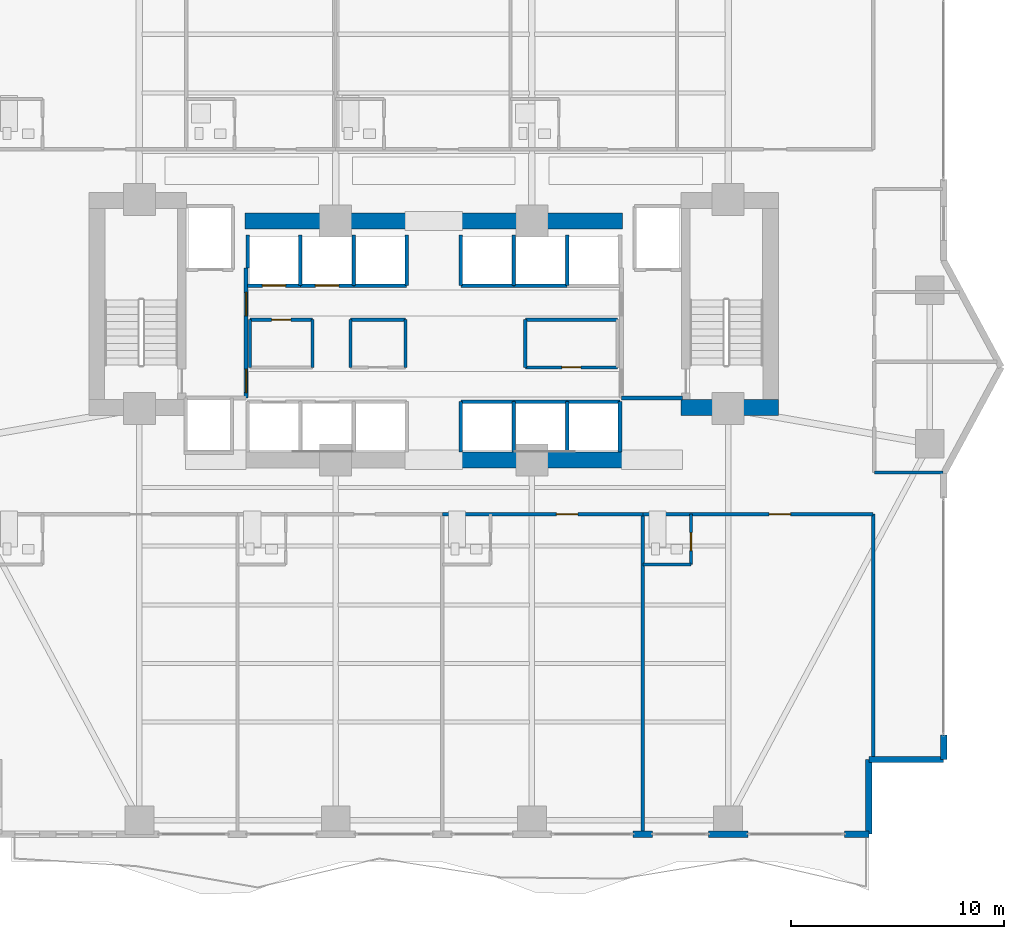
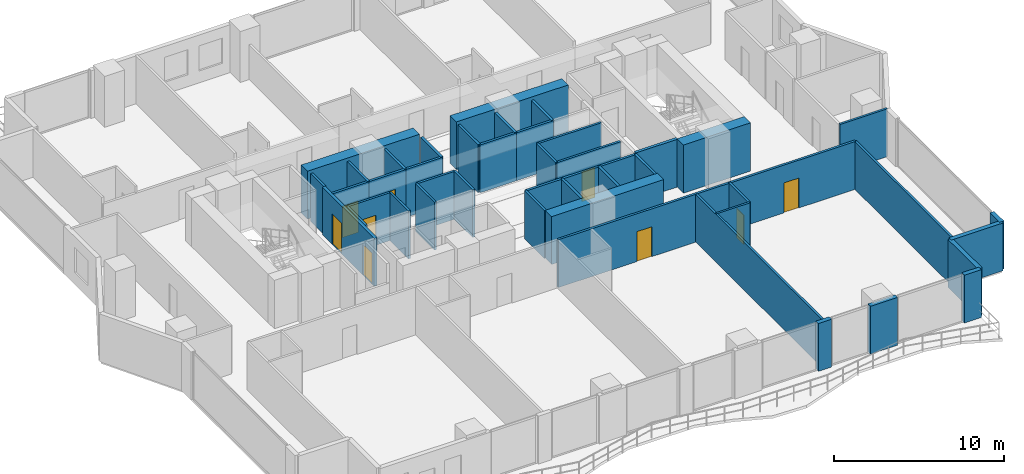
# One storey, part 21 of 27: 47 walls, 9 doors, 9 openings.
"""IFC4 building model written with IfcOpenShell, lengths in metres."""

from ifc_helpers import new_model, si_unit, direction, frame, frame_2d, origin, place, context, subcontext, project, spatial, rectangle, extrude, material, layer, layer_set, type_object, element, fill, save


model = new_model("IFC4")

# Units and contexts
model_context = context("Model", 3, precision=1e-05, world=origin(), true_north=direction((0.0, 1.0)))
body_context = subcontext(model_context, "Body", "Model", "MODEL_VIEW")
ifc_project = project(units=[si_unit("LENGTHUNIT", "METRE"), si_unit("AREAUNIT", "SQUARE_METRE"), si_unit("VOLUMEUNIT", "CUBIC_METRE"), si_unit("PLANEANGLEUNIT", "RADIAN"), si_unit("MASSUNIT", "GRAM", prefix="KILO")], contexts=[model_context])

# Site, building, storey
site_placement = place(None, origin())
site = spatial("IfcSite", under=ifc_project, at=site_placement, CompositionType="ELEMENT")
building_placement = place(site_placement, origin())
building = spatial("IfcBuilding", under=site, at=building_placement, Name="Zuhayl Quay Hotel", CompositionType="ELEMENT")
storey_placement = place(building_placement, frame((0.0, 0.0, 117.550048828125)))
storey = spatial("IfcBuildingStorey", under=building, at=storey_placement, Name="L29", CompositionType="ELEMENT", Elevation=117.550048828125)

# Walls
ifc_material_1 = material(Name="Concrete C60/75", Category="concrete")
ifc_layer_1 = layer(ifc_material_1, 0.75, Name="Concrete C60/75", Category="concrete")
ifc_layer_set_1 = layer_set([ifc_layer_1], Name="Concrete C60/75")
wall_type_1 = type_object("IfcWallType", Name="WL_CORE_750", PredefinedType="SHEAR", material=ifc_layer_set_1)
wall_1_placement = place(storey_placement, frame((11.60009765625, 4.594970703125, 0.0), z_axis=(0.0, 0.0, 1.0), x_axis=(1.0, 0.0, 0.0)))
element("IfcWall", 1, at=wall_1_placement, inside=storey, type_object=wall_type_1, Name="L29 Core Shear Wall CW_SE", PredefinedType="SHEAR", context=body_context, shape_type="SweptSolid", body=[
    extrude(rectangle(XDim=4.559814453125, YDim=0.75, at=frame_2d((2.27978515625, 0.0))), origin(), (0.0, 0.0, 1.0), 3.4599609375),
])
for number, where, z_axis, x_axis, name in (
    (2, (1.25, 2.14990234375, 0.0), (0.0, 0.0, 1.0), (1.0, 0.0, 0.0), "L29 Core Shear Wall CW_SC_E"),
    (3, (-8.85009765625, 13.35009765625, 0.0), (0.0, 0.0, 1.0), (1.0, 0.0, 0.0), "L29 Core Shear Wall CW_NC_W"),
    (4, (1.25, 13.35009765625, 0.0), (0.0, 0.0, 1.0), (1.0, 0.0, 0.0), "L29 Core Shear Wall CW_NC_E"),
):
    element("IfcWall", number, at=place(storey_placement, frame(where, z_axis=z_axis, x_axis=x_axis)), inside=storey, type_object=wall_type_1, Name=name, PredefinedType="SHEAR", context=body_context, shape_type="SweptSolid", body=[
        extrude(rectangle(XDim=7.60009765625, YDim=0.75, at=frame_2d((3.800048828125, 0.0))), origin(), (0.0, 0.0, 1.0), 3.429931640625),
    ])
ifc_material_2 = material(Name="Precast concrete C45/55", Category="concrete")
ifc_layer_2 = layer(ifc_material_2, 0.300048828125, Name="Precast concrete C45/55", Category="concrete")
ifc_layer_set_2 = layer_set([ifc_layer_2], Name="Precast concrete C45/55")
wall_type_2 = type_object("IfcWallType", Name="WL_EXT_300", PredefinedType="STANDARD", material=ifc_layer_set_2)
wall_2_placement = place(storey_placement, frame((23.89990234375, -10.75, 0.0), z_axis=(0.0, 0.0, 1.0), x_axis=(0.0, -1.0, 0.0)))
element("IfcWall", 5, at=wall_2_placement, inside=storey, type_object=wall_type_2, Name="L29 Exterior Precast Wall ENV_L29_E14_EW2", PredefinedType="STANDARD", context=body_context, shape_type="SweptSolid", body=[
    extrude(rectangle(XDim=1.14990234375, YDim=0.300048828125, at=frame_2d((0.574951171875, 0.0))), origin(), (0.0, 0.0, 1.0), 3.429931640625),
])
for number, where, z_axis, x_axis, name in (
    (6, (23.89990234375, -11.89990234375, 0.0), (0.0, 0.0, 1.0), (-1.0, 0.0, 0.0), "L29 Exterior Precast Wall ENV_L29_EW15"),
    (7, (20.39990234375, -11.89990234375, 0.0), (0.0, 0.0, 1.0), (0.0, -1.0, 0.0), "L29 Exterior Precast Wall ENV_L29_EW16"),
):
    element("IfcWall", number, at=place(storey_placement, frame(where, z_axis=z_axis, x_axis=x_axis)), inside=storey, type_object=wall_type_2, Name=name, PredefinedType="STANDARD", context=body_context, shape_type="SweptSolid", body=[
        extrude(rectangle(XDim=3.5, YDim=0.300048828125, at=frame_2d((1.75, 0.0))), origin(), (0.0, 0.0, 1.0), 3.429931640625),
    ])
wall_3_placement = place(storey_placement, frame((20.39990234375, -15.39990234375, 0.0), z_axis=(0.0, 0.0, 1.0), x_axis=(-1.0, 0.0, 0.0)))
element("IfcWall", 8, at=wall_3_placement, inside=storey, type_object=wall_type_2, Name="L29 Exterior Precast Wall ENV_L29_S_EW1", PredefinedType="STANDARD", context=body_context, shape_type="SweptSolid", body=[
    extrude(rectangle(XDim=1.14990234375, YDim=0.300048828125, at=frame_2d((0.574951171875, 0.0))), origin(), (0.0, 0.0, 1.0), 3.429931640625),
])
wall_4_placement = place(storey_placement, frame((14.719970703125, -15.39990234375, 0.0), z_axis=(0.0, 0.0, 1.0), x_axis=(-1.0, 0.0, 0.0)))
element("IfcWall", 9, at=wall_4_placement, inside=storey, type_object=wall_type_2, Name="L29 Exterior Precast Wall ENV_L29_S_EW2", PredefinedType="STANDARD", context=body_context, shape_type="SweptSolid", body=[
    extrude(rectangle(XDim=1.840087890625, YDim=0.300048828125, at=frame_2d((0.919921875, 0.0))), origin(), (0.0, 0.0, 1.0), 3.429931640625),
])
wall_5_placement = place(storey_placement, frame((10.25, -15.39990234375, 0.0), z_axis=(0.0, 0.0, 1.0), x_axis=(-1.0, 0.0, 0.0)))
element("IfcWall", 10, at=wall_5_placement, inside=storey, type_object=wall_type_2, Name="L29 Exterior Precast Wall ENV_L29_S_EW3", PredefinedType="STANDARD", context=body_context, shape_type="SweptSolid", body=[
    extrude(rectangle(XDim=0.89990234375, YDim=0.300048828125, at=frame_2d((0.449951171875, 0.0))), origin(), (0.0, 0.0, 1.0), 3.429931640625),
])

# Wall, opening, door
ifc_material_3 = material(Name="Acoustic Gypsum Partition STC-58")
ifc_layer_3 = layer(ifc_material_3, 0.14990234375, Name="Acoustic Gypsum Partition STC-58")
ifc_layer_set_3 = layer_set([ifc_layer_3], Name="Acoustic Gypsum Partition STC-58")
wall_type_3 = type_object("IfcWallType", Name="WL_PART_150", PredefinedType="PARTITIONING", material=ifc_layer_set_3)
wall_6_placement = place(storey_placement, frame((-8.610107421875, 8.719970703125, 0.0), z_axis=(0.0, 0.0, 1.0), x_axis=(1.0, 0.0, 0.0)))
wall_6 = element("IfcWall", 11, at=wall_6_placement, inside=storey, type_object=wall_type_3, Name="L29 Partition IW_L29_CORE_HK_N", PredefinedType="PARTITIONING", context=body_context, shape_type="SweptSolid", body=[
    extrude(rectangle(XDim=2.920166015625, YDim=0.14990234375, at=frame_2d((1.4599609375, 0.0))), origin(), (0.0, 0.0, 1.0), 3.429931640625),
])
opening_1_placement = place(wall_6_placement, frame((1.010009765625, 0.0, 0.0)))
opening_1 = element("IfcOpeningElement", 12, at=opening_1_placement, cuts=wall_6, Name="Opening D06", PredefinedType="OPENING", context=body_context, shape_type="SweptSolid", body=[
    extrude(rectangle(XDim=0.89990234375, YDim=2.14990234375, at=frame_2d((0.449951171875, 1.074951171875))), frame((0.0, 0.0849609375, 0.0), z_axis=(0.0, -1.0, 0.0), x_axis=(1.0, 0.0, 0.0)), (0.0, 0.0, 1.0), 0.169921875),
])
ifc_material_4 = material(Name="Steel ASTM A992 Grade 50", Category="steel")
door_type_1 = type_object("IfcDoorType", Name="DR_INT_900", OperationType="NOTDEFINED", PredefinedType="DOOR", material=ifc_material_4)
door_1_placement = place(opening_1_placement, origin())
door_1 = element("IfcDoor", 13, at=door_1_placement, inside=storey, type_object=door_type_1, Name="L29 Core Housekeeping Store Door", OperationType="SINGLE_SWING_LEFT", OverallHeight=2.14990234375, OverallWidth=0.89990234375, PredefinedType="DOOR", context=body_context, shape_type="SweptSolid", body=[
    extrude(rectangle(XDim=0.89990234375, YDim=2.14990234375, at=frame_2d((0.449951171875, 1.074951171875))), frame((0.0, 0.02490234375, 0.0), z_axis=(0.0, -1.0, 0.0), x_axis=(1.0, 0.0, 0.0)), (0.0, 0.0, 1.0), 0.050048828125),
])
fill(opening_1, door_1)

wall_7_placement = place(storey_placement, frame((4.2900390625, 6.47998046875, 0.0), z_axis=(0.0, 0.0, 1.0), x_axis=(1.0, 0.0, 0.0)))
wall_7 = element("IfcWall", 14, at=wall_7_placement, inside=storey, type_object=wall_type_3, Name="L29 Partition IW_L29_CORE_VL_S", PredefinedType="PARTITIONING", context=body_context, shape_type="SweptSolid", body=[
    extrude(rectangle(XDim=4.320068359375, YDim=0.14990234375, at=frame_2d((2.16015625, 0.0))), origin(), (0.0, 0.0, 1.0), 3.429931640625),
])
opening_2_placement = place(wall_7_placement, frame((1.7099609375, 0.0, 0.0)))
opening_2 = element("IfcOpeningElement", 15, at=opening_2_placement, cuts=wall_7, Name="Opening D06", PredefinedType="OPENING", context=body_context, shape_type="SweptSolid", body=[
    extrude(rectangle(XDim=0.89990234375, YDim=2.14990234375, at=frame_2d((0.449951171875, 1.074951171875))), frame((0.0, 0.0849609375, 0.0), z_axis=(0.0, -1.0, 0.0), x_axis=(1.0, 0.0, 0.0)), (0.0, 0.0, 1.0), 0.169921875),
])
door_2_placement = place(opening_2_placement, origin())
door_2 = element("IfcDoor", 16, at=door_2_placement, inside=storey, type_object=door_type_1, Name="L29 Floor Valet Store Door", OperationType="SINGLE_SWING_LEFT", OverallHeight=2.14990234375, OverallWidth=0.89990234375, PredefinedType="DOOR", context=body_context, shape_type="SweptSolid", body=[
    extrude(rectangle(XDim=0.89990234375, YDim=2.14990234375, at=frame_2d((0.449951171875, 1.074951171875))), frame((0.0, 0.02490234375, 0.0), z_axis=(0.0, -1.0, 0.0), x_axis=(1.0, 0.0, 0.0)), (0.0, 0.0, 1.0), 0.050048828125),
])
fill(opening_2, door_2)

# Walls
for number, where, z_axis, x_axis, name in (
    (17, (-8.610107421875, 6.47998046875, 0.0), (0.0, 0.0, 1.0), (0.0, 1.0, 0.0), "L29 Partition IW_L29_CORE_HK_W"),
    (18, (-5.68994140625, 6.47998046875, 0.0), (0.0, 0.0, 1.0), (0.0, 1.0, 0.0), "L29 Partition IW_L29_CORE_HK_E"),
):
    element("IfcWall", number, at=place(storey_placement, frame(where, z_axis=z_axis, x_axis=x_axis)), inside=storey, type_object=wall_type_3, Name=name, PredefinedType="PARTITIONING", context=body_context, shape_type="SweptSolid", body=[
        extrude(rectangle(XDim=2.239990234375, YDim=0.14990234375, at=frame_2d((1.1201171875, 0.0))), origin(), (0.0, 0.0, 1.0), 3.429931640625),
    ])
wall_8_placement = place(storey_placement, frame((-3.909912109375, 8.719970703125, 0.0), z_axis=(0.0, 0.0, 1.0), x_axis=(1.0, 0.0, 0.0)))
element("IfcWall", 19, at=wall_8_placement, inside=storey, type_object=wall_type_3, Name="L29 Partition IW_L29_CORE_BC_N", PredefinedType="PARTITIONING", context=body_context, shape_type="SweptSolid", body=[
    extrude(rectangle(XDim=2.58984375, YDim=0.14990234375, at=frame_2d((1.294921875, 0.0))), origin(), (0.0, 0.0, 1.0), 3.429931640625),
])
for number, where, z_axis, x_axis, name in (
    (20, (-3.909912109375, 6.47998046875, 0.0), (0.0, 0.0, 1.0), (0.0, 1.0, 0.0), "L29 Partition IW_L29_CORE_BC_W"),
    (21, (-1.320068359375, 6.47998046875, 0.0), (0.0, 0.0, 1.0), (0.0, 1.0, 0.0), "L29 Partition IW_L29_CORE_BC_E"),
):
    element("IfcWall", number, at=place(storey_placement, frame(where, z_axis=z_axis, x_axis=x_axis)), inside=storey, type_object=wall_type_3, Name=name, PredefinedType="PARTITIONING", context=body_context, shape_type="SweptSolid", body=[
        extrude(rectangle(XDim=2.239990234375, YDim=0.14990234375, at=frame_2d((1.1201171875, 0.0))), origin(), (0.0, 0.0, 1.0), 3.429931640625),
    ])
wall_9_placement = place(storey_placement, frame((4.2900390625, 8.719970703125, 0.0), z_axis=(0.0, 0.0, 1.0), x_axis=(1.0, 0.0, 0.0)))
element("IfcWall", 22, at=wall_9_placement, inside=storey, type_object=wall_type_3, Name="L29 Partition IW_L29_CORE_VL_N", PredefinedType="PARTITIONING", context=body_context, shape_type="SweptSolid", body=[
    extrude(rectangle(XDim=4.320068359375, YDim=0.14990234375, at=frame_2d((2.16015625, 0.0))), origin(), (0.0, 0.0, 1.0), 3.429931640625),
])
wall_10_placement = place(storey_placement, frame((4.2900390625, 6.47998046875, 0.0), z_axis=(0.0, 0.0, 1.0), x_axis=(0.0, 1.0, 0.0)))
element("IfcWall", 23, at=wall_10_placement, inside=storey, type_object=wall_type_3, Name="L29 Partition IW_L29_CORE_VL_W", PredefinedType="PARTITIONING", context=body_context, shape_type="SweptSolid", body=[
    extrude(rectangle(XDim=2.239990234375, YDim=0.14990234375, at=frame_2d((1.1201171875, 0.0))), origin(), (0.0, 0.0, 1.0), 3.429931640625),
])
wall_11_placement = place(storey_placement, frame((9.800048828125, -15.320068359375, 0.0), z_axis=(0.0, 0.0, 1.0), x_axis=(0.0, 1.0, 0.0)))
element("IfcWall", 24, at=wall_11_placement, inside=storey, type_object=wall_type_3, Name="L29 Partition IW_L29_SU03_E", PredefinedType="PARTITIONING", context=body_context, shape_type="SweptSolid", body=[
    extrude(rectangle(XDim=14.920166015625, YDim=0.14990234375, at=frame_2d((7.4599609375, 0.0))), origin(), (0.0, 0.0, 1.0), 3.429931640625),
])
wall_12_placement = place(storey_placement, frame((20.60009765625, -11.89990234375, 0.0), z_axis=(0.0, 0.0, 1.0), x_axis=(0.0, 1.0, 0.0)))
element("IfcWall", 25, at=wall_12_placement, inside=storey, type_object=wall_type_3, Name="L29 Partition IW_L29_SU04_E", PredefinedType="PARTITIONING", context=body_context, shape_type="SweptSolid", body=[
    extrude(rectangle(XDim=11.5, YDim=0.14990234375, at=frame_2d((5.75, 0.0))), origin(), (0.0, 0.0, 1.0), 3.429931640625),
])
wall_13_placement = place(storey_placement, frame((20.64990234375, 1.550048828125, 0.0), z_axis=(0.0, 0.0, 1.0), x_axis=(1.0, 0.0, 0.0)))
element("IfcWall", 26, at=wall_13_placement, inside=storey, type_object=wall_type_3, Name="L29 Partition IW_L29_HK_MAIN_S", PredefinedType="PARTITIONING", context=body_context, shape_type="SweptSolid", body=[
    extrude(rectangle(XDim=3.217041015625, YDim=0.14990234375, at=frame_2d((1.6083984375, 0.0))), origin(), (0.0, 0.0, 1.0), 3.429931640625),
])

# Wall, opening, door
ifc_layer_4 = layer(ifc_material_3, 0.159912109375, Name="Acoustic Gypsum Partition STC-58")
ifc_layer_set_4 = layer_set([ifc_layer_4], Name="Acoustic Gypsum Partition STC-58")
wall_type_4 = type_object("IfcWallType", Name="WL_PART_CORR_160", PredefinedType="PARTITIONING", material=ifc_layer_set_4)
wall_14_placement = place(storey_placement, frame((0.39990234375, -0.39990234375, 0.0), z_axis=(0.0, 0.0, 1.0), x_axis=(1.0, 0.0, 0.0)))
wall_14 = element("IfcWall", 27, at=wall_14_placement, inside=storey, type_object=wall_type_4, Name="L29 Partition IW_L29_SU03_COR", PredefinedType="PARTITIONING", context=body_context, shape_type="SweptSolid", body=[
    extrude(rectangle(XDim=9.400146484375, YDim=0.159912109375, at=frame_2d((4.7001953125, 0.0))), origin(), (0.0, 0.0, 1.0), 3.429931640625),
])
opening_3_placement = place(wall_14_placement, frame((5.35009765625, 0.0, 0.0)))
opening_3 = element("IfcOpeningElement", 28, at=opening_3_placement, cuts=wall_14, Name="Opening D03L", PredefinedType="OPENING", context=body_context, shape_type="SweptSolid", body=[
    extrude(rectangle(XDim=1.0, YDim=2.14990234375, at=frame_2d((0.5, 1.074951171875))), frame((0.0, 0.08984375, 0.0), z_axis=(0.0, -1.0, 0.0), x_axis=(1.0, 0.0, 0.0)), (0.0, 0.0, 1.0), 0.179931640625),
])
ifc_material_5 = material(Name="Solid Walnut Acoustic Fire Door")
door_type_2 = type_object("IfcDoorType", Name="DR_SUITE_1000", OperationType="NOTDEFINED", PredefinedType="DOOR", material=ifc_material_5)
door_3_placement = place(opening_3_placement, origin())
door_3 = element("IfcDoor", 29, at=door_3_placement, inside=storey, type_object=door_type_2, Name="L29 City-View Junior Suite L29-03 Entrance Door", OperationType="SINGLE_SWING_RIGHT", OverallHeight=2.14990234375, OverallWidth=1.0, PredefinedType="DOOR", context=body_context, shape_type="SweptSolid", body=[
    extrude(rectangle(XDim=1.0, YDim=2.14990234375, at=frame_2d((0.5, 1.074951171875))), frame((0.0, 0.02490234375, 0.0), z_axis=(0.0, -1.0, 0.0), x_axis=(1.0, 0.0, 0.0)), (0.0, 0.0, 1.0), 0.050048828125),
])
fill(opening_3, door_3)

wall_15_placement = place(storey_placement, frame((9.800048828125, -0.39990234375, 0.0), z_axis=(0.0, 0.0, 1.0), x_axis=(1.0, 0.0, 0.0)))
wall_15 = element("IfcWall", 30, at=wall_15_placement, inside=storey, type_object=wall_type_4, Name="L29 Partition IW_L29_SU04_COR", PredefinedType="PARTITIONING", context=body_context, shape_type="SweptSolid", body=[
    extrude(rectangle(XDim=10.800048828125, YDim=0.159912109375, at=frame_2d((5.39990234375, 0.0))), origin(), (0.0, 0.0, 1.0), 3.429931640625),
])
opening_4_placement = place(wall_15_placement, frame((5.925048828125, 0.0, 0.0)))
opening_4 = element("IfcOpeningElement", 31, at=opening_4_placement, cuts=wall_15, Name="Opening D03L", PredefinedType="OPENING", context=body_context, shape_type="SweptSolid", body=[
    extrude(rectangle(XDim=1.0, YDim=2.14990234375, at=frame_2d((0.5, 1.074951171875))), frame((0.0, 0.08984375, 0.0), z_axis=(0.0, -1.0, 0.0), x_axis=(1.0, 0.0, 0.0)), (0.0, 0.0, 1.0), 0.179931640625),
])
door_4_placement = place(opening_4_placement, origin())
door_4 = element("IfcDoor", 32, at=door_4_placement, inside=storey, type_object=door_type_2, Name="L29 City-View Junior Suite L29-04 Entrance Door", OperationType="SINGLE_SWING_RIGHT", OverallHeight=2.14990234375, OverallWidth=1.0, PredefinedType="DOOR", context=body_context, shape_type="SweptSolid", body=[
    extrude(rectangle(XDim=1.0, YDim=2.14990234375, at=frame_2d((0.5, 1.074951171875))), frame((0.0, 0.02490234375, 0.0), z_axis=(0.0, -1.0, 0.0), x_axis=(1.0, 0.0, 0.0)), (0.0, 0.0, 1.0), 0.050048828125),
])
fill(opening_4, door_4)

ifc_material_6 = material(Name="Moisture-Resistant Sanitarychase Gypsum")
ifc_layer_5 = layer(ifc_material_6, 0.135009765625, Name="Moisture-Resistant Sanitarychase Gypsum")
ifc_layer_set_5 = layer_set([ifc_layer_5], Name="Moisture-Resistant Sanitarychase Gypsum")
wall_type_5 = type_object("IfcWallType", Name="WL_PART_PLUMB_150", PredefinedType="PLUMBINGWALL", material=ifc_layer_set_5)
wall_16_placement = place(storey_placement, frame((12.06005859375, -2.760009765625, 0.0), z_axis=(0.0, 0.0, 1.0), x_axis=(0.0, 1.0, 0.0)))
wall_16 = element("IfcWall", 33, at=wall_16_placement, inside=storey, type_object=wall_type_5, Name="L29 Partition IW_L29_SU04_BE", PredefinedType="PLUMBINGWALL", context=body_context, shape_type="SweptSolid", body=[
    extrude(rectangle(XDim=2.360107421875, YDim=0.135009765625, at=frame_2d((1.18017578125, 0.0))), origin(), (0.0, 0.0, 1.0), 3.429931640625),
])
opening_5_placement = place(wall_16_placement, frame((0.64990234375, 0.0, 0.0)))
opening_5 = element("IfcOpeningElement", 34, at=opening_5_placement, cuts=wall_16, Name="Opening D04", PredefinedType="OPENING", context=body_context, shape_type="SweptSolid", body=[
    extrude(rectangle(XDim=0.85009765625, YDim=2.10009765625, at=frame_2d((0.425048828125, 1.050048828125))), frame((0.0, 0.077392578125, 0.0), z_axis=(0.0, -1.0, 0.0), x_axis=(1.0, 0.0, 0.0)), (0.0, 0.0, 1.0), 0.155029296875),
])
ifc_material_7 = material(Name="Moisture-Resistant Walnut Veneer")
door_type_3 = type_object("IfcDoorType", Name="DR_BATH_850", OperationType="NOTDEFINED", PredefinedType="DOOR", material=ifc_material_7)
door_5_placement = place(opening_5_placement, origin())
door_5 = element("IfcDoor", 35, at=door_5_placement, inside=storey, type_object=door_type_3, Name="L29 City-View Junior Suite L29-04 En-Suite Door", OperationType="SINGLE_SWING_LEFT", OverallHeight=2.10009765625, OverallWidth=0.85009765625, PredefinedType="DOOR", context=body_context, shape_type="SweptSolid", body=[
    extrude(rectangle(XDim=0.85009765625, YDim=2.10009765625, at=frame_2d((0.425048828125, 1.050048828125))), frame((0.0, 0.02490234375, 0.0), z_axis=(0.0, -1.0, 0.0), x_axis=(1.0, 0.0, 0.0)), (0.0, 0.0, 1.0), 0.050048828125),
])
fill(opening_5, door_5)

# Wall
wall_17_placement = place(storey_placement, frame((9.800048828125, -2.760009765625, 0.0), z_axis=(0.0, 0.0, 1.0), x_axis=(1.0, 0.0, 0.0)))
element("IfcWall", 36, at=wall_17_placement, inside=storey, type_object=wall_type_5, Name="L29 Partition IW_L29_SU04_BS", PredefinedType="PLUMBINGWALL", context=body_context, shape_type="SweptSolid", body=[
    extrude(rectangle(XDim=2.260009765625, YDim=0.135009765625, at=frame_2d((1.1298828125, 0.0))), origin(), (0.0, 0.0, 1.0), 3.429931640625),
])

# Wall, opening, door
ifc_material_8 = material(Name="Gypsum Fireboard Assembly EI-90")
ifc_layer_6 = layer(ifc_material_8, 0.1650390625, Name="Gypsum Fireboard Assembly EI-90")
ifc_layer_set_6 = layer_set([ifc_layer_6], Name="Gypsum Fireboard Assembly EI-90")
wall_type_6 = type_object("IfcWallType", Name="WL_PART_SHAFT_160", PredefinedType="PARTITIONING", material=ifc_layer_set_6)
wall_18_placement = place(storey_placement, frame((-8.72998046875, 10.320068359375, 0.0), z_axis=(0.0, 0.0, 1.0), x_axis=(1.0, 0.0, 0.0)))
wall_18 = element("IfcWall", 37, at=wall_18_placement, inside=storey, type_object=wall_type_6, Name="L29 Partition IW_L29_SH_LP3_F", PredefinedType="PARTITIONING", context=body_context, shape_type="SweptSolid", body=[
    extrude(rectangle(XDim=2.47998046875, YDim=0.1650390625, at=frame_2d((1.239990234375, 0.0))), origin(), (0.0, 0.0, 1.0), 3.429931640625),
])
opening_6_placement = place(wall_18_placement, frame((0.68994140625, 0.0, 0.0)))
opening_6 = element("IfcOpeningElement", 38, at=opening_6_placement, cuts=wall_18, Name="Opening LD1", PredefinedType="OPENING", context=body_context, shape_type="SweptSolid", body=[
    extrude(rectangle(XDim=1.10009765625, YDim=2.25, at=frame_2d((0.550048828125, 1.125))), frame((0.0, 0.092529296875, 0.0), z_axis=(0.0, -1.0, 0.0), x_axis=(1.0, 0.0, 0.0)), (0.0, 0.0, 1.0), 0.18505859375),
])
ifc_material_9 = material(Name="Brushed Stainless Steel", Category="steel")
door_type_4 = type_object("IfcDoorType", Name="DR_LIFT_PASS_1100", OperationType="SLIDING_TO_LEFT", PredefinedType="DOOR", material=ifc_material_9)
door_6_placement = place(opening_6_placement, origin())
door_6 = element("IfcDoor", 39, at=door_6_placement, inside=storey, type_object=door_type_4, Name="L29 Lift LP3 Sliding Landing Door", OperationType="SLIDING_TO_LEFT", OverallHeight=2.25, OverallWidth=1.10009765625, PredefinedType="DOOR", context=body_context, shape_type="SweptSolid", body=[
    extrude(rectangle(XDim=1.10009765625, YDim=2.25, at=frame_2d((0.550048828125, 1.125))), frame((0.0, 0.02490234375, 0.0), z_axis=(0.0, -1.0, 0.0), x_axis=(1.0, 0.0, 0.0)), (0.0, 0.0, 1.0), 0.050048828125),
])
fill(opening_6, door_6)

wall_19_placement = place(storey_placement, frame((-6.25, 10.320068359375, 0.0), z_axis=(0.0, 0.0, 1.0), x_axis=(1.0, 0.0, 0.0)))
wall_19 = element("IfcWall", 40, at=wall_19_placement, inside=storey, type_object=wall_type_6, Name="L29 Partition IW_L29_SH_LP4_F", PredefinedType="PARTITIONING", context=body_context, shape_type="SweptSolid", body=[
    extrude(rectangle(XDim=2.5, YDim=0.1650390625, at=frame_2d((1.25, 0.0))), origin(), (0.0, 0.0, 1.0), 3.429931640625),
])
opening_7_placement = place(wall_19_placement, frame((0.699951171875, 0.0, 0.0)))
opening_7 = element("IfcOpeningElement", 41, at=opening_7_placement, cuts=wall_19, Name="Opening LD1", PredefinedType="OPENING", context=body_context, shape_type="SweptSolid", body=[
    extrude(rectangle(XDim=1.10009765625, YDim=2.25, at=frame_2d((0.550048828125, 1.125))), frame((0.0, 0.092529296875, 0.0), z_axis=(0.0, -1.0, 0.0), x_axis=(1.0, 0.0, 0.0)), (0.0, 0.0, 1.0), 0.18505859375),
])
door_7_placement = place(opening_7_placement, origin())
door_7 = element("IfcDoor", 42, at=door_7_placement, inside=storey, type_object=door_type_4, Name="L29 Lift LP4 Sliding Landing Door", OperationType="SLIDING_TO_LEFT", OverallHeight=2.25, OverallWidth=1.10009765625, PredefinedType="DOOR", context=body_context, shape_type="SweptSolid", body=[
    extrude(rectangle(XDim=1.10009765625, YDim=2.25, at=frame_2d((0.550048828125, 1.125))), frame((0.0, 0.02490234375, 0.0), z_axis=(0.0, -1.0, 0.0), x_axis=(1.0, 0.0, 0.0)), (0.0, 0.0, 1.0), 0.050048828125),
])
fill(opening_7, door_7)

# Walls
wall_20_placement = place(storey_placement, frame((-8.72998046875, 11.14990234375, 0.0), z_axis=(0.0, 0.0, 1.0), x_axis=(0.0, 1.0, 0.0)))
element("IfcWall", 43, at=wall_20_placement, inside=storey, type_object=wall_type_6, Name="L29 Partition IW_L29_SH_LP3_W", PredefinedType="PARTITIONING", context=body_context, shape_type="SweptSolid", body=[
    extrude(rectangle(XDim=1.530029296875, YDim=0.1650390625, at=frame_2d((0.76513671875, 0.0))), origin(), (0.0, 0.0, 1.0), 3.429931640625),
])
for number, where, z_axis, x_axis, name in (
    (44, (-6.25, 10.320068359375, 0.0), (0.0, 0.0, 1.0), (0.0, 1.0, 0.0), "L29 Partition IW_L29_SH_LP3_E"),
    (45, (-3.75, 10.320068359375, 0.0), (0.0, 0.0, 1.0), (0.0, 1.0, 0.0), "L29 Partition IW_L29_SH_LP4_E"),
):
    element("IfcWall", number, at=place(storey_placement, frame(where, z_axis=z_axis, x_axis=x_axis)), inside=storey, type_object=wall_type_6, Name=name, PredefinedType="PARTITIONING", context=body_context, shape_type="SweptSolid", body=[
        extrude(rectangle(XDim=2.35986328125, YDim=0.1650390625, at=frame_2d((1.179931640625, 0.0))), origin(), (0.0, 0.0, 1.0), 3.429931640625),
    ])
wall_21_placement = place(storey_placement, frame((1.27001953125, 4.8798828125, 0.0), z_axis=(0.0, 0.0, 1.0), x_axis=(1.0, 0.0, 0.0)))
element("IfcWall", 46, at=wall_21_placement, inside=storey, type_object=wall_type_6, Name="L29 Partition IW_L29_SH_MP2_F", PredefinedType="PARTITIONING", context=body_context, shape_type="SweptSolid", body=[
    extrude(rectangle(XDim=2.47998046875, YDim=0.1650390625, at=frame_2d((1.239990234375, 0.0))), origin(), (0.0, 0.0, 1.0), 3.429931640625),
])
for number, where, z_axis, x_axis, name in (
    (47, (1.27001953125, 2.52001953125, 0.0), (0.0, 0.0, 1.0), (0.0, 1.0, 0.0), "L29 Partition IW_L29_SH_MP2_W"),
    (48, (3.75, 2.52001953125, 0.0), (0.0, 0.0, 1.0), (0.0, 1.0, 0.0), "L29 Partition IW_L29_SH_MP2_E"),
):
    element("IfcWall", number, at=place(storey_placement, frame(where, z_axis=z_axis, x_axis=x_axis)), inside=storey, type_object=wall_type_6, Name=name, PredefinedType="PARTITIONING", context=body_context, shape_type="SweptSolid", body=[
        extrude(rectangle(XDim=2.35986328125, YDim=0.1650390625, at=frame_2d((1.179931640625, 0.0))), origin(), (0.0, 0.0, 1.0), 3.429931640625),
    ])
wall_22_placement = place(storey_placement, frame((-3.75, 10.320068359375, 0.0), z_axis=(0.0, 0.0, 1.0), x_axis=(1.0, 0.0, 0.0)))
element("IfcWall", 49, at=wall_22_placement, inside=storey, type_object=wall_type_6, Name="L29 Partition IW_L29_SH_MP3_F", PredefinedType="PARTITIONING", context=body_context, shape_type="SweptSolid", body=[
    extrude(rectangle(XDim=2.47998046875, YDim=0.1650390625, at=frame_2d((1.239990234375, 0.0))), origin(), (0.0, 0.0, 1.0), 3.429931640625),
])
wall_23_placement = place(storey_placement, frame((-1.27001953125, 10.320068359375, 0.0), z_axis=(0.0, 0.0, 1.0), x_axis=(0.0, 1.0, 0.0)))
element("IfcWall", 50, at=wall_23_placement, inside=storey, type_object=wall_type_6, Name="L29 Partition IW_L29_SH_MP3_E", PredefinedType="PARTITIONING", context=body_context, shape_type="SweptSolid", body=[
    extrude(rectangle(XDim=2.35986328125, YDim=0.1650390625, at=frame_2d((1.179931640625, 0.0))), origin(), (0.0, 0.0, 1.0), 3.429931640625),
])
wall_24_placement = place(storey_placement, frame((1.27001953125, 10.320068359375, 0.0), z_axis=(0.0, 0.0, 1.0), x_axis=(1.0, 0.0, 0.0)))
element("IfcWall", 51, at=wall_24_placement, inside=storey, type_object=wall_type_6, Name="L29 Partition IW_L29_SH_MP4_F", PredefinedType="PARTITIONING", context=body_context, shape_type="SweptSolid", body=[
    extrude(rectangle(XDim=2.47998046875, YDim=0.1650390625, at=frame_2d((1.239990234375, 0.0))), origin(), (0.0, 0.0, 1.0), 3.429931640625),
])
for number, where, z_axis, x_axis, name in (
    (52, (1.27001953125, 10.320068359375, 0.0), (0.0, 0.0, 1.0), (0.0, 1.0, 0.0), "L29 Partition IW_L29_SH_MP4_W"),
    (53, (3.75, 10.320068359375, 0.0), (0.0, 0.0, 1.0), (0.0, 1.0, 0.0), "L29 Partition IW_L29_SH_MP4_E"),
):
    element("IfcWall", number, at=place(storey_placement, frame(where, z_axis=z_axis, x_axis=x_axis)), inside=storey, type_object=wall_type_6, Name=name, PredefinedType="PARTITIONING", context=body_context, shape_type="SweptSolid", body=[
        extrude(rectangle(XDim=2.35986328125, YDim=0.1650390625, at=frame_2d((1.179931640625, 0.0))), origin(), (0.0, 0.0, 1.0), 3.429931640625),
    ])
wall_25_placement = place(storey_placement, frame((3.75, 4.8798828125, 0.0), z_axis=(0.0, 0.0, 1.0), x_axis=(1.0, 0.0, 0.0)))
element("IfcWall", 54, at=wall_25_placement, inside=storey, type_object=wall_type_6, Name="L29 Partition IW_L29_SH_HP1_F", PredefinedType="PARTITIONING", context=body_context, shape_type="SweptSolid", body=[
    extrude(rectangle(XDim=2.5, YDim=0.1650390625, at=frame_2d((1.25, 0.0))), origin(), (0.0, 0.0, 1.0), 3.429931640625),
])
wall_26_placement = place(storey_placement, frame((6.25, 2.52001953125, 0.0), z_axis=(0.0, 0.0, 1.0), x_axis=(0.0, 1.0, 0.0)))
element("IfcWall", 55, at=wall_26_placement, inside=storey, type_object=wall_type_6, Name="L29 Partition IW_L29_SH_HP1_E", PredefinedType="PARTITIONING", context=body_context, shape_type="SweptSolid", body=[
    extrude(rectangle(XDim=2.35986328125, YDim=0.1650390625, at=frame_2d((1.179931640625, 0.0))), origin(), (0.0, 0.0, 1.0), 3.429931640625),
])
wall_27_placement = place(storey_placement, frame((6.25, 4.8798828125, 0.0), z_axis=(0.0, 0.0, 1.0), x_axis=(1.0, 0.0, 0.0)))
element("IfcWall", 56, at=wall_27_placement, inside=storey, type_object=wall_type_6, Name="L29 Partition IW_L29_SH_HP2_F", PredefinedType="PARTITIONING", context=body_context, shape_type="SweptSolid", body=[
    extrude(rectangle(XDim=2.47998046875, YDim=0.1650390625, at=frame_2d((1.239990234375, 0.0))), origin(), (0.0, 0.0, 1.0), 3.429931640625),
])
wall_28_placement = place(storey_placement, frame((8.72998046875, 2.52001953125, 0.0), z_axis=(0.0, 0.0, 1.0), x_axis=(0.0, 1.0, 0.0)))
element("IfcWall", 57, at=wall_28_placement, inside=storey, type_object=wall_type_6, Name="L29 Partition IW_L29_SH_HP2_E", PredefinedType="PARTITIONING", context=body_context, shape_type="SweptSolid", body=[
    extrude(rectangle(XDim=2.35986328125, YDim=0.1650390625, at=frame_2d((1.179931640625, 0.0))), origin(), (0.0, 0.0, 1.0), 3.429931640625),
])
wall_29_placement = place(storey_placement, frame((3.75, 10.320068359375, 0.0), z_axis=(0.0, 0.0, 1.0), x_axis=(1.0, 0.0, 0.0)))
element("IfcWall", 58, at=wall_29_placement, inside=storey, type_object=wall_type_6, Name="L29 Partition IW_L29_SH_HP3_F", PredefinedType="PARTITIONING", context=body_context, shape_type="SweptSolid", body=[
    extrude(rectangle(XDim=2.5, YDim=0.1650390625, at=frame_2d((1.25, 0.0))), origin(), (0.0, 0.0, 1.0), 3.429931640625),
])
wall_30_placement = place(storey_placement, frame((6.25, 10.320068359375, 0.0), z_axis=(0.0, 0.0, 1.0), x_axis=(0.0, 1.0, 0.0)))
element("IfcWall", 59, at=wall_30_placement, inside=storey, type_object=wall_type_6, Name="L29 Partition IW_L29_SH_HP3_E", PredefinedType="PARTITIONING", context=body_context, shape_type="SweptSolid", body=[
    extrude(rectangle(XDim=2.35986328125, YDim=0.1650390625, at=frame_2d((1.179931640625, 0.0))), origin(), (0.0, 0.0, 1.0), 3.429931640625),
])

# Wall, openings, doors
ifc_material_10 = material(Name="Gypsum Fireboard Assembly EI-120")
ifc_layer_7 = layer(ifc_material_10, 0.199951171875, Name="Gypsum Fireboard Assembly EI-120")
ifc_layer_set_7 = layer_set([ifc_layer_7], Name="Gypsum Fireboard Assembly EI-120")
wall_type_7 = type_object("IfcWallType", Name="WL_PART_SHAFT_200", PredefinedType="PARTITIONING", material=ifc_layer_set_7)
wall_31_placement = place(storey_placement, frame((-8.800048828125, 5.050048828125, 0.0), z_axis=(0.0, 0.0, 1.0), x_axis=(0.0, 1.0, 0.0)))
wall_31 = element("IfcWall", 60, at=wall_31_placement, inside=storey, type_object=wall_type_7, Name="L29 Partition IW_L29_FSAE_W_E", PredefinedType="PARTITIONING", context=body_context, shape_type="SweptSolid", body=[
    extrude(rectangle(XDim=6.099853515625, YDim=0.199951171875, at=frame_2d((3.0498046875, 0.0))), origin(), (0.0, 0.0, 1.0), 3.429931640625),
])
opening_8_placement = place(wall_31_placement, frame((0.25, 0.0, 0.0)))
opening_8 = element("IfcOpeningElement", 61, at=opening_8_placement, cuts=wall_31, Name="Opening D02", PredefinedType="OPENING", context=body_context, shape_type="SweptSolid", body=[
    extrude(rectangle(XDim=1.10009765625, YDim=2.199951171875, at=frame_2d((0.550048828125, 1.10009765625))), frame((0.0, 0.10986328125, 0.0), z_axis=(0.0, -1.0, 0.0), x_axis=(1.0, 0.0, 0.0)), (0.0, 0.0, 1.0), 0.219970703125),
])
opening_9_placement = place(wall_31_placement, frame((3.85009765625, 0.0, 0.0)))
opening_9 = element("IfcOpeningElement", 62, at=opening_9_placement, cuts=wall_31, Name="Opening D02", PredefinedType="OPENING", context=body_context, shape_type="SweptSolid", body=[
    extrude(rectangle(XDim=1.10009765625, YDim=2.199951171875, at=frame_2d((0.550048828125, 1.10009765625))), frame((0.0, 0.10986328125, 0.0), z_axis=(0.0, -1.0, 0.0), x_axis=(1.0, 0.0, 0.0)), (0.0, 0.0, 1.0), 0.219970703125),
])
door_type_5 = type_object("IfcDoorType", Name="DR_FIRE_90_1100", OperationType="NOTDEFINED", PredefinedType="DOOR", material=ifc_material_4)
door_8_placement = place(opening_8_placement, origin())
door_8 = element("IfcDoor", 63, at=door_8_placement, inside=storey, type_object=door_type_5, Name="L29 FSAE Lobby West South Entry Door", OperationType="SINGLE_SWING_LEFT", OverallHeight=2.199951171875, OverallWidth=1.10009765625, PredefinedType="DOOR", context=body_context, shape_type="SweptSolid", body=[
    extrude(rectangle(XDim=1.10009765625, YDim=2.199951171875, at=frame_2d((0.550048828125, 1.10009765625))), frame((0.0, 0.02490234375, 0.0), z_axis=(0.0, -1.0, 0.0), x_axis=(1.0, 0.0, 0.0)), (0.0, 0.0, 1.0), 0.050048828125),
])
fill(opening_8, door_8)
door_9_placement = place(opening_9_placement, origin())
door_9 = element("IfcDoor", 64, at=door_9_placement, inside=storey, type_object=door_type_5, Name="L29 FSAE Lobby West North Entry Door", OperationType="SINGLE_SWING_RIGHT", OverallHeight=2.199951171875, OverallWidth=1.10009765625, PredefinedType="DOOR", context=body_context, shape_type="SweptSolid", body=[
    extrude(rectangle(XDim=1.10009765625, YDim=2.199951171875, at=frame_2d((0.550048828125, 1.10009765625))), frame((0.0, 0.02490234375, 0.0), z_axis=(0.0, -1.0, 0.0), x_axis=(1.0, 0.0, 0.0)), (0.0, 0.0, 1.0), 0.050048828125),
])
fill(opening_9, door_9)

# Wall
wall_32_placement = place(storey_placement, frame((8.800048828125, 5.050048828125, 0.0), z_axis=(0.0, 0.0, 1.0), x_axis=(1.0, 0.0, 0.0)))
element("IfcWall", 65, at=wall_32_placement, inside=storey, type_object=wall_type_7, Name="L29 Partition IW_L29_FSAE_E_S", PredefinedType="PARTITIONING", context=body_context, shape_type="SweptSolid", body=[
    extrude(rectangle(XDim=2.849853515625, YDim=0.199951171875, at=frame_2d((1.4248046875, 0.0))), origin(), (0.0, 0.0, 1.0), 3.429931640625),
])

save(model, "model.ifc")
